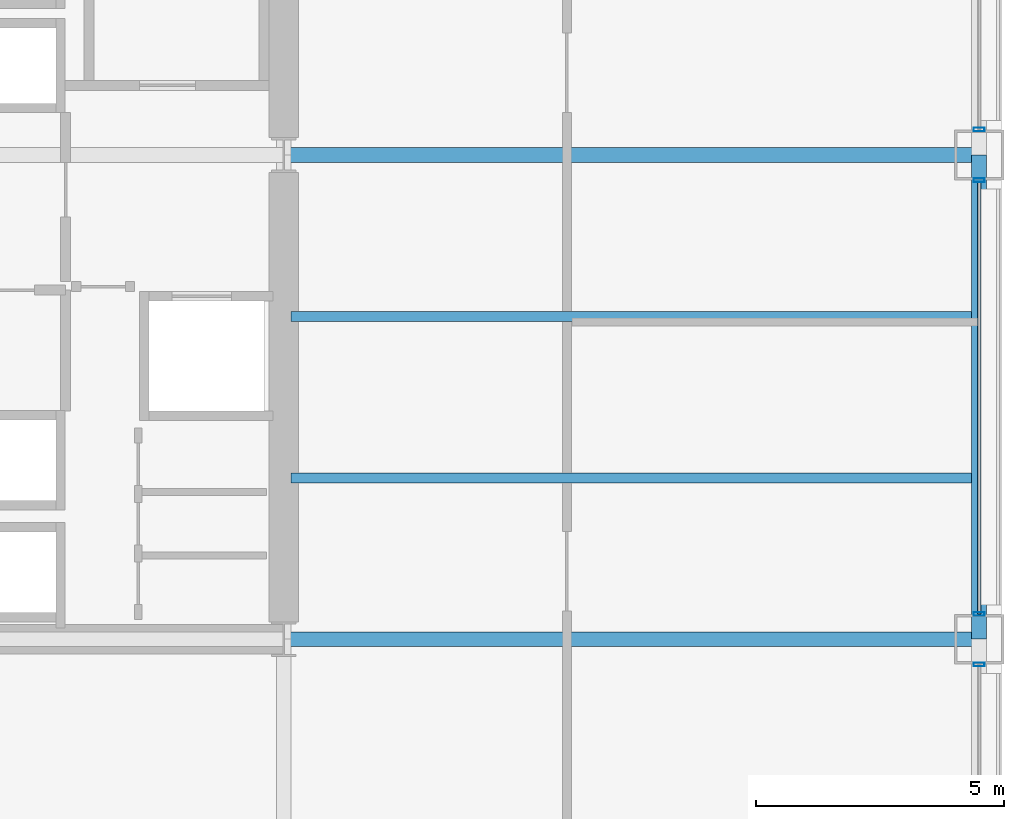
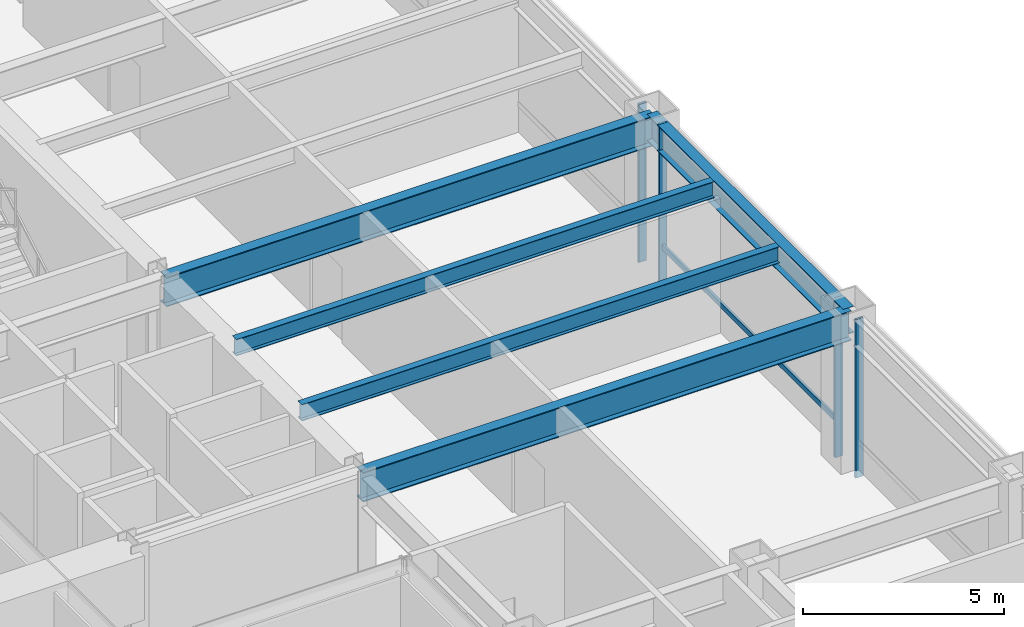
# One storey, part 14 of 42: 5 beams, 5 members, 3 elements without a shape of their own.
"""IFC4 building model written with IfcOpenShell, lengths in metres."""

from ifc_helpers import new_model, si_unit, direction, frame, origin, origin_2d, place, context, subcontext, project, spatial, hollow_rectangle, i_section, extrude, material, layer, layer_set, material_profile, profile_set, type_object, element, aggregate, save


model = new_model("IFC4")

# Units and contexts
model_context = context("Model", 3, precision=1e-05, world=origin(), true_north=direction((0.0, 1.0)))
body_context = subcontext(model_context, "Body", "Model", "MODEL_VIEW")
ifc_project = project(units=[si_unit("LENGTHUNIT", "METRE"), si_unit("AREAUNIT", "SQUARE_METRE"), si_unit("VOLUMEUNIT", "CUBIC_METRE"), si_unit("PLANEANGLEUNIT", "RADIAN"), si_unit("MASSUNIT", "GRAM", prefix="KILO")], contexts=[model_context])

# Site, building, storey
site_placement = place(None, origin())
site = spatial("IfcSite", under=ifc_project, at=site_placement, CompositionType="ELEMENT")
building_placement = place(site_placement, origin())
building = spatial("IfcBuilding", under=site, at=building_placement, Name="Brelmoor Portico Tower", CompositionType="ELEMENT")
storey_placement = place(building_placement, frame((0.0, 0.0, 9.60009765625)))
storey = spatial("IfcBuildingStorey", under=building, at=storey_placement, Name="L02", CompositionType="ELEMENT", Elevation=9.60009765625)

# Beams
ifc_material_1 = material(Name="Steel Q355B", Category="steel")
ifc_material_profile_1 = material_profile(ifc_material_1, i_section(OverallWidth=0.199951171875, OverallDepth=0.5, WebThickness=0.010009765625, FlangeThickness=0.01611328125, at=origin_2d()), Name="HN 500x200x10x16")
ifc_profile_set_1 = profile_set([ifc_material_profile_1], Name="Steel Q355B")
beam_type_1 = type_object("IfcBeamType", Name="BM-JS-500", PredefinedType="JOIST", material=ifc_profile_set_1)
for number, where, z_axis, x_axis, name in (
    (1, (14.699951171875, -6.5, 4.329833984375), (1.0, 0.0, 0.0), (0.0, 1.0, 0.0), "L02 Secondary Wing Joist JS-E05"),
    (2, (14.699951171875, -3.25, 4.329833984375), (1.0, 0.0, 0.0), (0.0, 1.0, 0.0), "L02 Secondary Wing Joist JS-E06"),
):
    element("IfcBeam", number, at=place(storey_placement, frame(where, z_axis=z_axis, x_axis=x_axis)), inside=storey, type_object=beam_type_1, Name=name, PredefinedType="JOIST", context=body_context, shape_type="SweptSolid", body=[
        extrude(i_section(OverallWidth=0.199951171875, OverallDepth=0.5, WebThickness=0.010009765625, FlangeThickness=0.01611328125, at=origin_2d()), origin(), (0.0, 0.0, 1.0), 13.699951171875),
    ])
ifc_material_profile_2 = material_profile(ifc_material_1, i_section(OverallWidth=0.300048828125, OverallDepth=0.89990234375, WebThickness=0.01611328125, FlangeThickness=0.028076171875, at=origin_2d()), Name="HN 900x300x16x28")
ifc_profile_set_2 = profile_set([ifc_material_profile_2], Name="Steel Q355B")
beam_type_2 = type_object("IfcBeamType", Name="BM-PG-900", PredefinedType="BEAM", material=ifc_profile_set_2)
for number, where, z_axis, x_axis, name in (
    (3, (14.550048828125, -9.75, 4.1298828125), (1.0, 0.0, 0.0), (0.0, 1.0, 0.0), "L02 Primary Floor Girder PG-29"),
    (4, (14.550048828125, 0.0, 4.1298828125), (1.0, 0.0, 0.0), (0.0, 1.0, 0.0), "L02 Primary Floor Girder PG-34"),
):
    element("IfcBeam", number, at=place(storey_placement, frame(where, z_axis=z_axis, x_axis=x_axis)), inside=storey, type_object=beam_type_2, Name=name, PredefinedType="BEAM", context=body_context, shape_type="SweptSolid", body=[
        extrude(i_section(OverallWidth=0.300048828125, OverallDepth=0.89990234375, WebThickness=0.01611328125, FlangeThickness=0.028076171875, at=origin_2d()), origin(), (0.0, 0.0, 1.0), 14.0),
    ])
ifc_material_profile_3 = material_profile(ifc_material_1, i_section(OverallWidth=0.300048828125, OverallDepth=0.800048828125, WebThickness=0.013916015625, FlangeThickness=0.02587890625, at=origin_2d()), Name="HN 800x300x14x26")
ifc_profile_set_3 = profile_set([ifc_material_profile_3], Name="Steel Q355B")
beam_type_3 = type_object("IfcBeamType", Name="BM-SP-800", PredefinedType="SPANDREL", material=ifc_profile_set_3)
beam_placement = place(storey_placement, frame((28.550048828125, -9.75, 4.179931640625), z_axis=(0.0, 1.0, 0.0), x_axis=(-1.0, 0.0, 0.0)))
element("IfcBeam", 5, at=beam_placement, inside=storey, type_object=beam_type_3, Name="L02 Perimeter Spandrel Beam SP-17", PredefinedType="SPANDREL", context=body_context, shape_type="SweptSolid", body=[
    extrude(i_section(OverallWidth=0.300048828125, OverallDepth=0.800048828125, WebThickness=0.013916015625, FlangeThickness=0.02587890625, at=origin_2d()), origin(), (0.0, 0.0, 1.0), 9.75),
])

# Curtain wall, member
ifc_material_2 = material(Name="Anodised Aluminium Alloy 6063-T6", Category="aluminium")
ifc_layer = layer(ifc_material_2, 0.179931640625)
ifc_layer_set = layer_set([ifc_layer], Name="Anodised Aluminium Alloy 6063-T6")
curtain_wall_type = type_object("IfcCurtainWallType", Name="CW-PODIUM-ARCH", PredefinedType="NOTDEFINED", material=ifc_layer_set)
curtain_wall_1_placement = place(storey_placement, origin())
curtain_wall_1 = element("IfcCurtainWall", 6, at=curtain_wall_1_placement, inside=storey, type_object=curtain_wall_type, Name="L02 Curtain Wall CW-L02-06-2", PredefinedType="NOTDEFINED")
ifc_material_profile_4 = material_profile(ifc_material_2, hollow_rectangle(XDim=0.074951171875, YDim=0.219970703125, WallThickness=0.0048828125, at=origin_2d()), Name="ALU MULLION 75x220")
ifc_profile_set_4 = profile_set([ifc_material_profile_4], Name="Anodised Aluminium Alloy 6063-T6")
member_type_1 = type_object("IfcMemberType", Name="MB-CW-MULL-220", PredefinedType="MULLION", material=ifc_profile_set_4)
member_1_placement = place(storey_placement, frame((28.550048828125, -10.260009765625, -0.22021484375), z_axis=(0.0, 0.0, 1.0), x_axis=(0.0, 1.0, 0.0)))
member_1 = element("IfcMember", 7, at=member_1_placement, type_object=member_type_1, Name="CW-L02-06-2 Mullion 01", PredefinedType="MULLION", context=body_context, shape_type="SweptSolid", body=[
    extrude(hollow_rectangle(XDim=0.074951171875, YDim=0.219970703125, WallThickness=0.0048828125, at=origin_2d()), origin(), (0.0, 0.0, 1.0), 4.800048828125),
])
aggregate(curtain_wall_1, [member_1])

# Curtain wall, members
curtain_wall_2_placement = place(storey_placement, origin())
curtain_wall_2 = element("IfcCurtainWall", 8, at=curtain_wall_2_placement, inside=storey, type_object=curtain_wall_type, Name="L02 Curtain Wall CW-L02-06-3", PredefinedType="NOTDEFINED")
member_2_placement = place(storey_placement, frame((28.550048828125, -9.239990234375, -0.22021484375), z_axis=(0.0, 0.0, 1.0), x_axis=(0.0, 1.0, 0.0)))
member_2 = element("IfcMember", 9, at=member_2_placement, type_object=member_type_1, Name="CW-L02-06-3 Mullion 00", PredefinedType="MULLION", context=body_context, shape_type="SweptSolid", body=[
    extrude(hollow_rectangle(XDim=0.074951171875, YDim=0.219970703125, WallThickness=0.0048828125, at=origin_2d()), origin(), (0.0, 0.0, 1.0), 4.800048828125),
])
member_3_placement = place(storey_placement, frame((28.550048828125, -0.510009765625, -0.22021484375), z_axis=(0.0, 0.0, 1.0), x_axis=(0.0, 1.0, 0.0)))
member_3 = element("IfcMember", 10, at=member_3_placement, type_object=member_type_1, Name="CW-L02-06-3 Mullion 01", PredefinedType="MULLION", context=body_context, shape_type="SweptSolid", body=[
    extrude(hollow_rectangle(XDim=0.074951171875, YDim=0.219970703125, WallThickness=0.0048828125, at=origin_2d()), origin(), (0.0, 0.0, 1.0), 4.800048828125),
])

# Curtain wall, member
curtain_wall_3_placement = place(storey_placement, origin())
curtain_wall_3 = element("IfcCurtainWall", 11, at=curtain_wall_3_placement, inside=storey, type_object=curtain_wall_type, Name="L02 Curtain Wall CW-L02-06-4", PredefinedType="NOTDEFINED")
member_4_placement = place(storey_placement, frame((28.550048828125, 0.510009765625, -0.22021484375), z_axis=(0.0, 0.0, 1.0), x_axis=(0.0, 1.0, 0.0)))
member_4 = element("IfcMember", 12, at=member_4_placement, type_object=member_type_1, Name="CW-L02-06-4 Mullion 00", PredefinedType="MULLION", context=body_context, shape_type="SweptSolid", body=[
    extrude(hollow_rectangle(XDim=0.074951171875, YDim=0.219970703125, WallThickness=0.0048828125, at=origin_2d()), origin(), (0.0, 0.0, 1.0), 4.800048828125),
])
aggregate(curtain_wall_3, [member_4])

# Member
ifc_material_profile_5 = material_profile(ifc_material_2, hollow_rectangle(XDim=0.070068359375, YDim=0.159912109375, WallThickness=0.00390625, at=origin_2d()), Name="ALU TRANSOM 70x160")
ifc_profile_set_5 = profile_set([ifc_material_profile_5], Name="Anodised Aluminium Alloy 6063-T6")
member_type_2 = type_object("IfcMemberType", Name="MB-CW-TRAN-160", PredefinedType="USERDEFINED", material=ifc_profile_set_5)
member_5_placement = place(storey_placement, frame((28.550048828125, -9.239990234375, 0.849853515625), z_axis=(0.0, 1.0, 0.0), x_axis=(-1.0, 0.0, 0.0)))
member_5 = element("IfcMember", 13, at=member_5_placement, type_object=member_type_2, Name="CW-L02-06-3 Transom 1-00", ObjectType="TRANSOM", PredefinedType="USERDEFINED", context=body_context, shape_type="SweptSolid", body=[
    extrude(hollow_rectangle(XDim=0.070068359375, YDim=0.159912109375, WallThickness=0.00390625, at=origin_2d()), origin(), (0.0, 0.0, 1.0), 8.72998046875),
])

aggregate(curtain_wall_2, [member_2, member_3, member_5])

save(model, "model.ifc")
